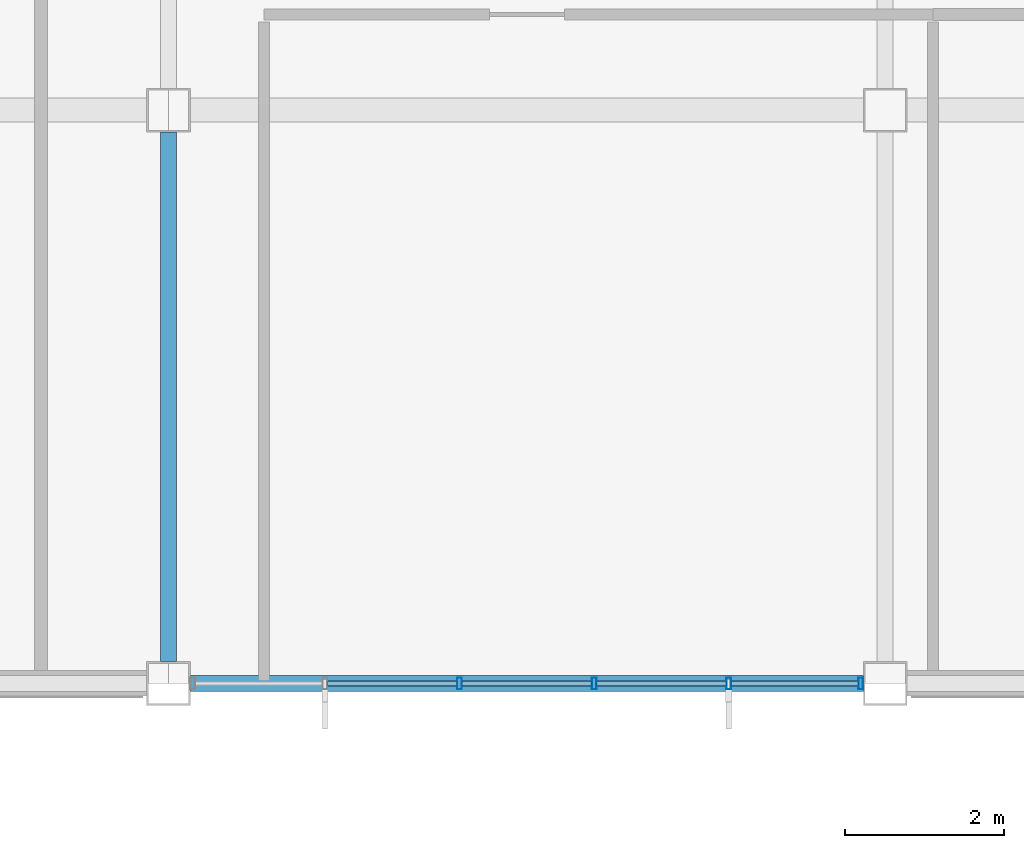
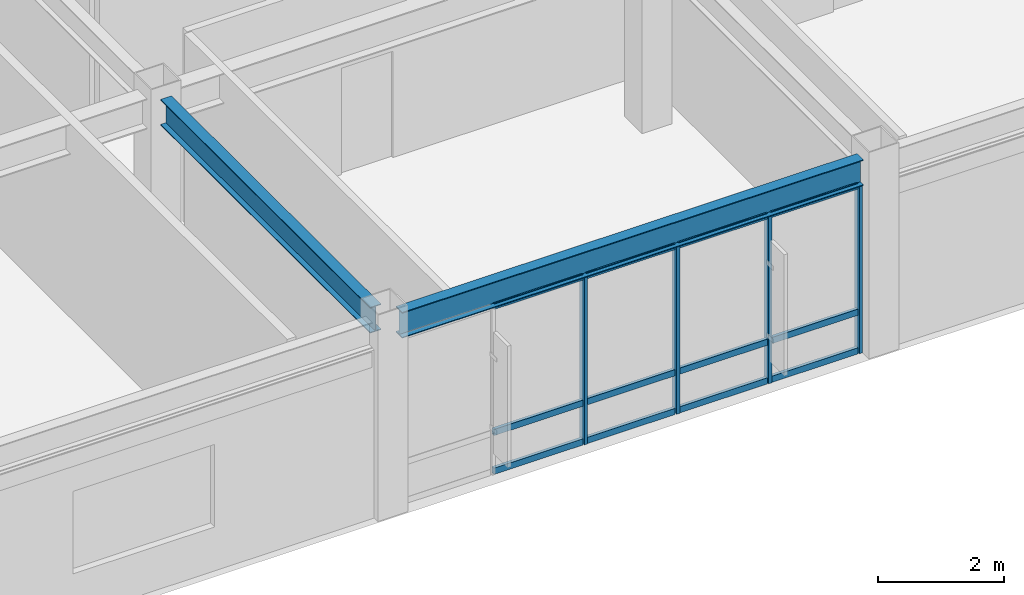
# One storey, part 27 of 122: 16 members, 2 beams, 1 element without a shape of its own.
"""IFC4 building model written with IfcOpenShell, lengths in metres."""

import ifcopenshell
import ifcopenshell.guid

model = None  # the IFC model being written
_history = None  # IfcOwnerHistory: only IFC2X3 demands one
_inside = {}  # id of a spatial element -> (the spatial element, [elements in it])
_under = {}  # id of a project, library or spatial element -> (it, [spatial elements below it])
_declared = {}  # id of a project -> (the project, [libraries it declares])
_typed = {}  # id of a type object -> (the type object, [elements of that type])
_made_of = {}  # id of a material, layer set ... -> (it, [elements and type objects made of it])


def new_model(schema):
    """Start an empty IFC model of exactly this schema.

    Asked for "IFC4X3", IfcOpenShell would pick the latest addendum, in which some entities
    have other attributes; the version numbers below select the first issue.
    IFC2X3 requires an IfcOwnerHistory on every rooted entity: one is made here for all.
    """
    global model, _history
    if schema == "IFC4X3":
        model = ifcopenshell.file(schema_version=(4, 3, 0, 0))
    else:
        model = ifcopenshell.file(schema=schema)
    _inside.clear()
    _under.clear()
    _declared.clear()
    _typed.clear()
    _made_of.clear()
    _history = None
    if model.schema == "IFC2X3":
        org = make("IfcOrganization", Name="unknown")
        user = make(
            "IfcPersonAndOrganization",
            ThePerson=make("IfcPerson", FamilyName="unknown"),
            TheOrganization=org,
        )
        app = make(
            "IfcApplication",
            ApplicationDeveloper=org,
            Version="unknown",
            ApplicationFullName="unknown",
            ApplicationIdentifier="unknown",
        )
        _history = make(
            "IfcOwnerHistory",
            OwningUser=user,
            OwningApplication=app,
            ChangeAction="ADDED",
            CreationDate=0,
        )
    return model


def make(cls, **values):
    """One entity of the class cls with the attributes given. An attribute that is None is left unset."""
    return model.create_entity(
        cls, **{name: value for name, value in values.items() if value is not None}
    )


def rooted(cls, **values):
    """An entity with a GlobalId (a new one), such as an element, a storey or a relation."""
    return make(cls, GlobalId=ifcopenshell.guid.new(), OwnerHistory=_history, **values)


def si_unit(unit_type, name, prefix=None):
    """IfcSIUnit, for example si_unit("LENGTHUNIT", "METRE", prefix="MILLI")."""
    return make("IfcSIUnit", UnitType=unit_type, Prefix=prefix, Name=name)


def assignment(units):
    """IfcUnitAssignment: the units of a project."""
    return None if units is None else make("IfcUnitAssignment", Units=units)


def point(xyz):
    """IfcCartesianPoint."""
    return None if xyz is None else make("IfcCartesianPoint", Coordinates=xyz)


def direction(xyz):
    """IfcDirection."""
    return None if xyz is None else make("IfcDirection", DirectionRatios=xyz)


def frame(location, z_axis=None, x_axis=None):
    """IfcAxis2Placement3D, a coordinate frame: its origin and axes. An axis left out is left unset."""
    return make(
        "IfcAxis2Placement3D",
        Location=point(location),
        Axis=direction(z_axis),
        RefDirection=direction(x_axis),
    )


def frame_2d(location, x_axis=None):
    """IfcAxis2Placement2D, a coordinate frame in the plane: its origin and x axis."""
    return make(
        "IfcAxis2Placement2D", Location=point(location), RefDirection=direction(x_axis)
    )


def origin():
    """The frame at (0, 0, 0) with its axes left unset."""
    return frame((0.0, 0.0, 0.0))


def origin_2d():
    """The frame at (0, 0) in the plane with its x axis left unset."""
    return frame_2d((0.0, 0.0))


def place(relative_to, where):
    """IfcLocalPlacement: puts the frame where relative to a parent placement (None: the world)."""
    return make(
        "IfcLocalPlacement", PlacementRelTo=relative_to, RelativePlacement=where
    )


def context(
    kind, dimensions, precision=None, world=None, true_north=None, identifier=None
):
    """IfcGeometricRepresentationContext, for example the 3D "Model" context."""
    return make(
        "IfcGeometricRepresentationContext",
        ContextIdentifier=identifier,
        ContextType=kind,
        CoordinateSpaceDimension=dimensions,
        Precision=precision,
        WorldCoordinateSystem=world,
        TrueNorth=true_north,
    )


def subcontext(parent, identifier, kind, view, scale=None):
    """IfcGeometricRepresentationSubContext, for example "Body" below "Model"."""
    return make(
        "IfcGeometricRepresentationSubContext",
        ContextIdentifier=identifier,
        ContextType=kind,
        ParentContext=parent,
        TargetScale=scale,
        TargetView=view,
    )


def project(units=None, contexts=None):
    """IfcProject with its units and contexts."""
    return rooted(
        "IfcProject",
        Name="project",
        RepresentationContexts=contexts,
        UnitsInContext=assignment(units),
    )


def spatial(cls, under=None, at=None, **own):
    """A site, building, storey or space (cls), placed at a placement, below another one or the project."""
    s = rooted(cls, ObjectPlacement=at, **own)
    if under is not None:
        _under.setdefault(under.id(), (under, []))[1].append(s)
    return s


def profile(cls, at=None, kind="AREA", **sizes):
    """A parametric profile (cls). Its sizes go by their IFC names, for example OverallWidth=200.0."""
    return make(cls, ProfileType=kind, Position=at, **sizes)


def hollow_rectangle(**sizes):
    """IfcRectangleHollowProfileDef."""
    return profile("IfcRectangleHollowProfileDef", **sizes)


def i_section(**sizes):
    """IfcIShapeProfileDef."""
    return profile("IfcIShapeProfileDef", **sizes)


def extrude(swept, where, along, depth):
    """IfcExtrudedAreaSolid: the profile swept, set in the frame where, extruded along a direction by depth."""
    return make(
        "IfcExtrudedAreaSolid",
        SweptArea=swept,
        Position=where,
        ExtrudedDirection=direction(along),
        Depth=depth,
    )


def shape(context_of_items, identifier, shape_type, items):
    """IfcShapeRepresentation: the items that make up one representation, for example the "Body"."""
    return make(
        "IfcShapeRepresentation",
        ContextOfItems=context_of_items,
        RepresentationIdentifier=identifier,
        RepresentationType=shape_type,
        Items=items,
    )


def material(Name=None, Category=None):
    """IfcMaterial."""
    return make("IfcMaterial", Name=Name, Category=Category)


def material_profile(
    of_material, cross_section, Name=None, Category=None, Priority=None
):
    """IfcMaterialProfile: a cross section and its material."""
    return make(
        "IfcMaterialProfile",
        Name=Name,
        Material=of_material,
        Profile=cross_section,
        Priority=Priority,
        Category=Category,
    )


def profile_set(profiles, Name=None, composite=None):
    """IfcMaterialProfileSet."""
    return make(
        "IfcMaterialProfileSet",
        Name=Name,
        MaterialProfiles=profiles,
        CompositeProfile=composite,
    )


def made_of(thing, what):
    """Note that an element or type object is made of a material, layer set ...; save() writes the relation."""
    if what is not None:
        _made_of.setdefault(what.id(), (what, []))[1].append(thing)
    return thing


def type_object(cls, material=None, **own):
    """A type object (cls), such as IfcWallType, which elements share."""
    return made_of(rooted(cls, **own), material)


def element(
    cls,
    number,
    at=None,
    inside=None,
    cuts=None,
    type_object=None,
    material=None,
    context=None,
    identifier="Body",
    shape_type=None,
    held_by="IfcProductDefinitionShape",
    body=None,
    shapes=None,
    **own,
):
    """One element of the class cls, such as IfcWall. Its Tag is "e" and its number.

    at: its placement. inside: the storey or other place that contains it. cuts: it is an
    opening in that element (IfcRelVoidsElement). A single representation is given by context,
    identifier, shape_type and body (its items); several are given by shapes. held_by: the class
    of the entity that holds the representations. save() writes the other relations.
    """
    e = rooted(cls, Tag="e%d" % number, ObjectPlacement=at, **own)
    if body is not None:
        shapes = [shape(context, identifier, shape_type, body)]
    if shapes is not None:
        e.Representation = make(held_by, Representations=shapes)
    if inside is not None:
        _inside.setdefault(inside.id(), (inside, []))[1].append(e)
    if cuts is not None:
        rooted(
            "IfcRelVoidsElement", RelatingBuildingElement=cuts, RelatedOpeningElement=e
        )
    if type_object is not None:
        _typed.setdefault(type_object.id(), (type_object, []))[1].append(e)
    return made_of(e, material)


def aggregate(whole, parts):
    """IfcRelAggregates: a whole, such as a stair, and the parts it consists of."""
    return rooted("IfcRelAggregates", RelatingObject=whole, RelatedObjects=parts)


def save(model, path):
    """Write the relations noted so far, then the file.

    IfcRelAggregates (storeys below a building ...), IfcRelContainedInSpatialStructure (elements
    in a storey), IfcRelDefinesByType, IfcRelAssociatesMaterial and IfcRelDeclares: one each for
    every whole, place, type object, material and project.
    """
    for whole, parts in _under.values():
        aggregate(whole, parts)
    for where, things in _inside.values():
        rooted(
            "IfcRelContainedInSpatialStructure",
            RelatedElements=things,
            RelatingStructure=where,
        )
    for kind, things in _typed.values():
        rooted("IfcRelDefinesByType", RelatedObjects=things, RelatingType=kind)
    for what, things in _made_of.values():
        rooted("IfcRelAssociatesMaterial", RelatedObjects=things, RelatingMaterial=what)
    for by, libraries in _declared.values():
        rooted("IfcRelDeclares", RelatingContext=by, RelatedDefinitions=libraries)
    model.write(path)


model = new_model("IFC4")

# Units and contexts
model_context = context("Model", 3, precision=1e-05, world=origin(), true_north=direction((0.0, 1.0)))
body_context = subcontext(model_context, "Body", "Model", "MODEL_VIEW")
ifc_project = project(units=[si_unit("LENGTHUNIT", "METRE"), si_unit("AREAUNIT", "SQUARE_METRE"), si_unit("VOLUMEUNIT", "CUBIC_METRE"), si_unit("PLANEANGLEUNIT", "RADIAN"), si_unit("MASSUNIT", "GRAM", prefix="KILO")], contexts=[model_context])

# Site, building, storey
site_placement = place(None, origin())
site = spatial("IfcSite", under=ifc_project, at=site_placement, CompositionType="ELEMENT")
building_placement = place(site_placement, origin())
building = spatial("IfcBuilding", under=site, at=building_placement, Name="Kazanami Central Library", CompositionType="ELEMENT")
storey_placement = place(building_placement, frame((0.0, 0.0, 4.800048828125)))
storey = spatial("IfcBuildingStorey", under=building, at=storey_placement, Name="L02", CompositionType="ELEMENT", Elevation=4.800048828125)

# Beams
ifc_material_1 = material(Name="Steel SN490B (325 MPa)", Category="steel")
ifc_material_profile_1 = material_profile(ifc_material_1, i_section(OverallWidth=0.199951171875, OverallDepth=0.5, WebThickness=0.010009765625, FlangeThickness=0.01611328125, at=origin_2d()), Name="H-500x200x10x16")
ifc_profile_set_1 = profile_set([ifc_material_profile_1], Name="Steel SN490B (325 MPa)")
beam_type_1 = type_object("IfcBeamType", Name="BM-G-Y2", PredefinedType="BEAM", material=ifc_profile_set_1)
beam_1_placement = place(storey_placement, frame((18.0, 57.873046875, 3.5048828125), z_axis=(0.0, 1.0, 0.0), x_axis=(-1.0, 0.0, 0.0)))
element("IfcBeam", 1, at=beam_1_placement, inside=storey, type_object=beam_type_1, Name="Girder G-Y2 L02 3/J-K", PredefinedType="BEAM", context=body_context, shape_type="SweptSolid", body=[
    extrude(i_section(OverallWidth=0.199951171875, OverallDepth=0.5, WebThickness=0.010009765625, FlangeThickness=0.01611328125, at=origin_2d()), origin(), (0.0, 0.0, 1.0), 6.654052734375),
])
ifc_material_profile_2 = material_profile(ifc_material_1, i_section(OverallWidth=0.199951171875, OverallDepth=0.5, WebThickness=0.010009765625, FlangeThickness=0.01611328125, at=origin_2d()), Name="H-500x200x10x16")
ifc_profile_set_2 = profile_set([ifc_material_profile_2], Name="Steel SN490B (325 MPa)")
beam_type_2 = type_object("IfcBeamType", Name="BM-SP-1", PredefinedType="SPANDREL", material=ifc_profile_set_2)
beam_2_placement = place(storey_placement, frame((18.27294921875, 57.60009765625, 3.5048828125), z_axis=(1.0, 0.0, 0.0), x_axis=(0.0, 1.0, 0.0)))
element("IfcBeam", 2, at=beam_2_placement, inside=storey, type_object=beam_type_2, Name="Girder SP-1 L02 J/3-4", PredefinedType="SPANDREL", context=body_context, shape_type="SweptSolid", body=[
    extrude(i_section(OverallWidth=0.199951171875, OverallDepth=0.5, WebThickness=0.010009765625, FlangeThickness=0.01611328125, at=origin_2d()), origin(), (0.0, 0.0, 1.0), 8.4541015625),
])

# Curtain wall, members
ifc_material_2 = material(Name="Acid-Etched Low-E Laminated Glass", Category="glass")
curtain_wall_type = type_object("IfcCurtainWallType", Name="CW-8450x3255-M180", PredefinedType="USERDEFINED", material=ifc_material_2)
curtain_wall_placement = place(storey_placement, origin())
curtain_wall = element("IfcCurtainWall", 3, at=curtain_wall_placement, inside=storey, type_object=curtain_wall_type, Name="Unitised Curtain Wall CW-17 L02 S-J-02", ObjectType="UNITISED CURTAIN WALL", PredefinedType="USERDEFINED")
ifc_material_3 = material(Name="Anodised Aluminium A6063-T5", Category="aluminium")
ifc_material_profile_3 = material_profile(ifc_material_3, hollow_rectangle(XDim=0.06005859375, YDim=0.14990234375, WallThickness=0.00390625, at=origin_2d()), Name="ALU-MULL-60x150x4")
ifc_profile_set_3 = profile_set([ifc_material_profile_3], Name="Anodised Aluminium A6063-T5")
member_type_1 = type_object("IfcMemberType", Name="MEM-CW-M3", PredefinedType="MULLION", material=ifc_profile_set_3)
member_1_placement = place(storey_placement, frame((21.655029296875, 57.60009765625, 0.0), z_axis=(0.0, 0.0, 1.0), x_axis=(1.0, 0.0, 0.0)))
member_1 = element("IfcMember", 4, at=member_1_placement, type_object=member_type_1, Name="CW-17 mullion 3", PredefinedType="MULLION", context=body_context, shape_type="SweptSolid", body=[
    extrude(hollow_rectangle(XDim=0.06005859375, YDim=0.14990234375, WallThickness=0.00390625, at=origin_2d()), origin(), (0.0, 0.0, 1.0), 3.2548828125),
])
member_2_placement = place(storey_placement, frame((23.344970703125, 57.60009765625, 0.0), z_axis=(0.0, 0.0, 1.0), x_axis=(1.0, 0.0, 0.0)))
member_2 = element("IfcMember", 5, at=member_2_placement, type_object=member_type_1, Name="CW-17 mullion 4", PredefinedType="MULLION", context=body_context, shape_type="SweptSolid", body=[
    extrude(hollow_rectangle(XDim=0.06005859375, YDim=0.14990234375, WallThickness=0.00390625, at=origin_2d()), origin(), (0.0, 0.0, 1.0), 3.2548828125),
])
member_3_placement = place(storey_placement, frame((25.034912109375, 57.60009765625, 0.0), z_axis=(0.0, 0.0, 1.0), x_axis=(1.0, 0.0, 0.0)))
member_3 = element("IfcMember", 6, at=member_3_placement, type_object=member_type_1, Name="CW-17 mullion 5", PredefinedType="MULLION", context=body_context, shape_type="SweptSolid", body=[
    extrude(hollow_rectangle(XDim=0.06005859375, YDim=0.14990234375, WallThickness=0.00390625, at=origin_2d()), origin(), (0.0, 0.0, 1.0), 3.2548828125),
])
member_4_placement = place(storey_placement, frame((26.695068359375, 57.60009765625, 0.0), z_axis=(0.0, 0.0, 1.0), x_axis=(1.0, 0.0, 0.0)))
member_4 = element("IfcMember", 7, at=member_4_placement, type_object=member_type_1, Name="CW-17 mullion 6", PredefinedType="MULLION", context=body_context, shape_type="SweptSolid", body=[
    extrude(hollow_rectangle(XDim=0.06005859375, YDim=0.14990234375, WallThickness=0.00390625, at=origin_2d()), origin(), (0.0, 0.0, 1.0), 3.2548828125),
])
ifc_material_profile_4 = material_profile(ifc_material_3, hollow_rectangle(XDim=0.06005859375, YDim=0.1201171875, WallThickness=0.00341796875, at=origin_2d()), Name="ALU-TRAN-60x120x3.5")
ifc_profile_set_4 = profile_set([ifc_material_profile_4], Name="Anodised Aluminium A6063-T5")
member_type_2 = type_object("IfcMemberType", Name="MEM-CW-T3", PredefinedType="USERDEFINED", material=ifc_profile_set_4)
member_5_placement = place(storey_placement, frame((19.9951171875, 57.60009765625, 0.030029296875), z_axis=(1.0, 0.0, 0.0), x_axis=(0.0, 1.0, 0.0)))
member_5 = element("IfcMember", 8, at=member_5_placement, type_object=member_type_2, Name="CW-17 transom 2.1", ObjectType="TRANSOM", PredefinedType="USERDEFINED", context=body_context, shape_type="SweptSolid", body=[
    extrude(hollow_rectangle(XDim=0.06005859375, YDim=0.1201171875, WallThickness=0.00341796875, at=origin_2d()), origin(), (0.0, 0.0, 1.0), 1.6298828125),
])
member_6_placement = place(storey_placement, frame((19.9951171875, 57.60009765625, 0.780029296875), z_axis=(1.0, 0.0, 0.0), x_axis=(0.0, 1.0, 0.0)))
member_6 = element("IfcMember", 9, at=member_6_placement, type_object=member_type_2, Name="CW-17 transom 2.2", ObjectType="TRANSOM", PredefinedType="USERDEFINED", context=body_context, shape_type="SweptSolid", body=[
    extrude(hollow_rectangle(XDim=0.06005859375, YDim=0.1201171875, WallThickness=0.00341796875, at=origin_2d()), origin(), (0.0, 0.0, 1.0), 1.6298828125),
])
member_7_placement = place(storey_placement, frame((19.9951171875, 57.60009765625, 3.224853515625), z_axis=(1.0, 0.0, 0.0), x_axis=(0.0, 1.0, 0.0)))
member_7 = element("IfcMember", 10, at=member_7_placement, type_object=member_type_2, Name="CW-17 transom 2.3", ObjectType="TRANSOM", PredefinedType="USERDEFINED", context=body_context, shape_type="SweptSolid", body=[
    extrude(hollow_rectangle(XDim=0.06005859375, YDim=0.1201171875, WallThickness=0.00341796875, at=origin_2d()), origin(), (0.0, 0.0, 1.0), 1.6298828125),
])
member_8_placement = place(storey_placement, frame((21.68505859375, 57.60009765625, 0.030029296875), z_axis=(1.0, 0.0, 0.0), x_axis=(0.0, 1.0, 0.0)))
member_8 = element("IfcMember", 11, at=member_8_placement, type_object=member_type_2, Name="CW-17 transom 3.1", ObjectType="TRANSOM", PredefinedType="USERDEFINED", context=body_context, shape_type="SweptSolid", body=[
    extrude(hollow_rectangle(XDim=0.06005859375, YDim=0.1201171875, WallThickness=0.00341796875, at=origin_2d()), origin(), (0.0, 0.0, 1.0), 1.6298828125),
])
member_9_placement = place(storey_placement, frame((21.68505859375, 57.60009765625, 0.780029296875), z_axis=(1.0, 0.0, 0.0), x_axis=(0.0, 1.0, 0.0)))
member_9 = element("IfcMember", 12, at=member_9_placement, type_object=member_type_2, Name="CW-17 transom 3.2", ObjectType="TRANSOM", PredefinedType="USERDEFINED", context=body_context, shape_type="SweptSolid", body=[
    extrude(hollow_rectangle(XDim=0.06005859375, YDim=0.1201171875, WallThickness=0.00341796875, at=origin_2d()), origin(), (0.0, 0.0, 1.0), 1.6298828125),
])
member_10_placement = place(storey_placement, frame((21.68505859375, 57.60009765625, 3.224853515625), z_axis=(1.0, 0.0, 0.0), x_axis=(0.0, 1.0, 0.0)))
member_10 = element("IfcMember", 13, at=member_10_placement, type_object=member_type_2, Name="CW-17 transom 3.3", ObjectType="TRANSOM", PredefinedType="USERDEFINED", context=body_context, shape_type="SweptSolid", body=[
    extrude(hollow_rectangle(XDim=0.06005859375, YDim=0.1201171875, WallThickness=0.00341796875, at=origin_2d()), origin(), (0.0, 0.0, 1.0), 1.6298828125),
])
member_11_placement = place(storey_placement, frame((23.375, 57.60009765625, 0.030029296875), z_axis=(1.0, 0.0, 0.0), x_axis=(0.0, 1.0, 0.0)))
member_11 = element("IfcMember", 14, at=member_11_placement, type_object=member_type_2, Name="CW-17 transom 4.1", ObjectType="TRANSOM", PredefinedType="USERDEFINED", context=body_context, shape_type="SweptSolid", body=[
    extrude(hollow_rectangle(XDim=0.06005859375, YDim=0.1201171875, WallThickness=0.00341796875, at=origin_2d()), origin(), (0.0, 0.0, 1.0), 1.6298828125),
])
member_12_placement = place(storey_placement, frame((23.375, 57.60009765625, 0.780029296875), z_axis=(1.0, 0.0, 0.0), x_axis=(0.0, 1.0, 0.0)))
member_12 = element("IfcMember", 15, at=member_12_placement, type_object=member_type_2, Name="CW-17 transom 4.2", ObjectType="TRANSOM", PredefinedType="USERDEFINED", context=body_context, shape_type="SweptSolid", body=[
    extrude(hollow_rectangle(XDim=0.06005859375, YDim=0.1201171875, WallThickness=0.00341796875, at=origin_2d()), origin(), (0.0, 0.0, 1.0), 1.6298828125),
])
member_13_placement = place(storey_placement, frame((23.375, 57.60009765625, 3.224853515625), z_axis=(1.0, 0.0, 0.0), x_axis=(0.0, 1.0, 0.0)))
member_13 = element("IfcMember", 16, at=member_13_placement, type_object=member_type_2, Name="CW-17 transom 4.3", ObjectType="TRANSOM", PredefinedType="USERDEFINED", context=body_context, shape_type="SweptSolid", body=[
    extrude(hollow_rectangle(XDim=0.06005859375, YDim=0.1201171875, WallThickness=0.00341796875, at=origin_2d()), origin(), (0.0, 0.0, 1.0), 1.6298828125),
])
member_14_placement = place(storey_placement, frame((25.06494140625, 57.60009765625, 0.030029296875), z_axis=(1.0, 0.0, 0.0), x_axis=(0.0, 1.0, 0.0)))
member_14 = element("IfcMember", 17, at=member_14_placement, type_object=member_type_2, Name="CW-17 transom 5.1", ObjectType="TRANSOM", PredefinedType="USERDEFINED", context=body_context, shape_type="SweptSolid", body=[
    extrude(hollow_rectangle(XDim=0.06005859375, YDim=0.1201171875, WallThickness=0.00341796875, at=origin_2d()), origin(), (0.0, 0.0, 1.0), 1.60009765625),
])
member_15_placement = place(storey_placement, frame((25.06494140625, 57.60009765625, 0.780029296875), z_axis=(1.0, 0.0, 0.0), x_axis=(0.0, 1.0, 0.0)))
member_15 = element("IfcMember", 18, at=member_15_placement, type_object=member_type_2, Name="CW-17 transom 5.2", ObjectType="TRANSOM", PredefinedType="USERDEFINED", context=body_context, shape_type="SweptSolid", body=[
    extrude(hollow_rectangle(XDim=0.06005859375, YDim=0.1201171875, WallThickness=0.00341796875, at=origin_2d()), origin(), (0.0, 0.0, 1.0), 1.60009765625),
])
member_16_placement = place(storey_placement, frame((25.06494140625, 57.60009765625, 3.224853515625), z_axis=(1.0, 0.0, 0.0), x_axis=(0.0, 1.0, 0.0)))
member_16 = element("IfcMember", 19, at=member_16_placement, type_object=member_type_2, Name="CW-17 transom 5.3", ObjectType="TRANSOM", PredefinedType="USERDEFINED", context=body_context, shape_type="SweptSolid", body=[
    extrude(hollow_rectangle(XDim=0.06005859375, YDim=0.1201171875, WallThickness=0.00341796875, at=origin_2d()), origin(), (0.0, 0.0, 1.0), 1.60009765625),
])
aggregate(curtain_wall, [member_1, member_2, member_3, member_4, member_5, member_6, member_7, member_8, member_9, member_10, member_11, member_12, member_13, member_14, member_15, member_16])

save(model, "model.ifc")
